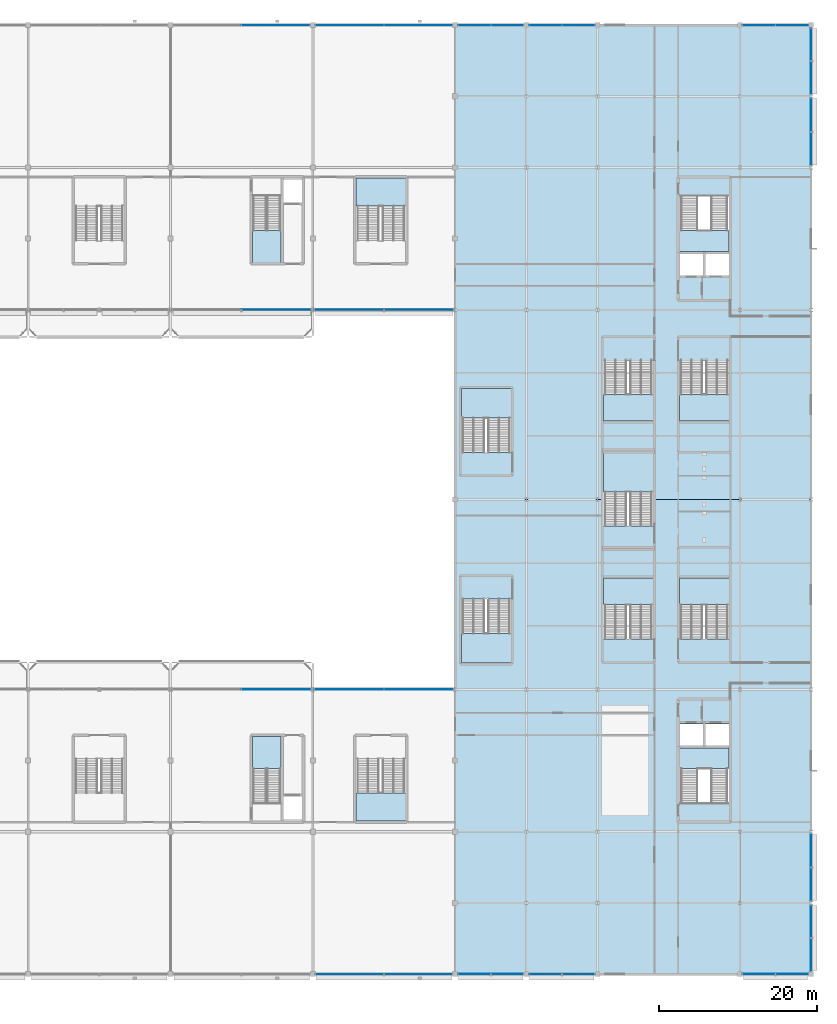
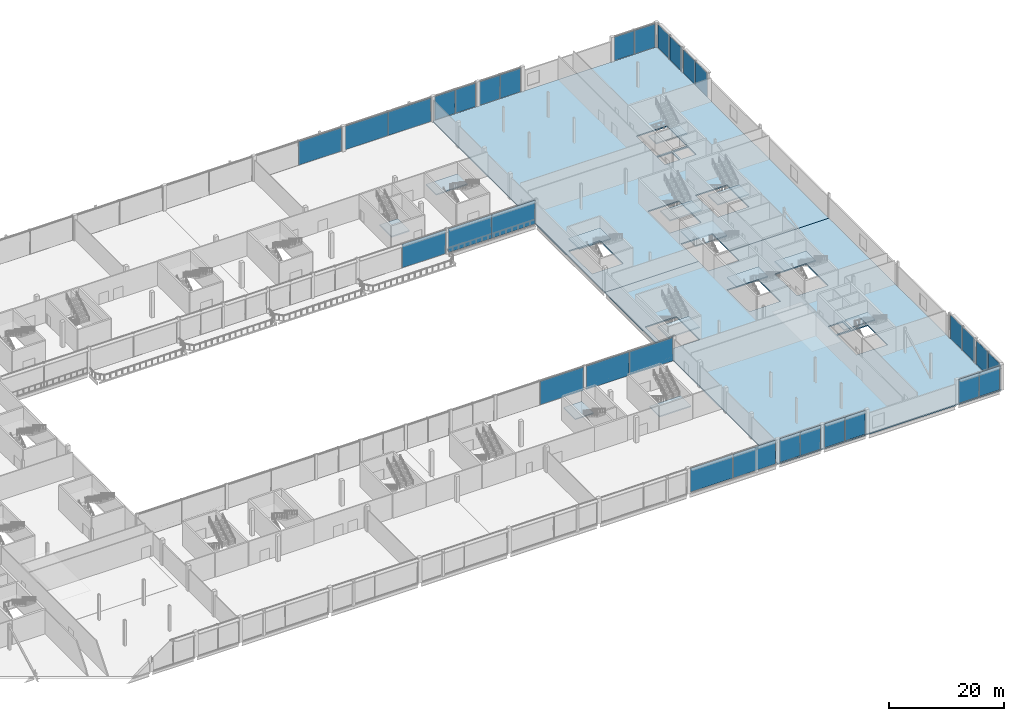
# One storey, part 62 of 113: 31 plates, 15 slabs, 30 elements without a shape of their own.
"""IFC4 building model written with IfcOpenShell, lengths in metres."""

from ifc_helpers import new_model, si_unit, direction, frame, origin, origin_2d, place, context, subcontext, project, spatial, polyline, rectangle, outline, extrude, material, layer, layer_set, type_object, element, aggregate, save


model = new_model("IFC4")

# Units and contexts
model_context = context("Model", 3, precision=1e-05, world=origin(), true_north=direction((0.0, 1.0)))
body_context = subcontext(model_context, "Body", "Model", "MODEL_VIEW")
ifc_project = project(units=[si_unit("LENGTHUNIT", "METRE"), si_unit("AREAUNIT", "SQUARE_METRE"), si_unit("VOLUMEUNIT", "CUBIC_METRE"), si_unit("PLANEANGLEUNIT", "RADIAN"), si_unit("MASSUNIT", "GRAM", prefix="KILO")], contexts=[model_context])

# Site, building, storey
site_placement = place(None, origin())
site = spatial("IfcSite", under=ifc_project, at=site_placement, CompositionType="ELEMENT")
building_placement = place(site_placement, origin())
building = spatial("IfcBuilding", under=site, at=building_placement, Name="Kisiwana Market Hall", CompositionType="ELEMENT")
storey_placement = place(building_placement, frame((0.0, 0.0, 6.0)))
storey = spatial("IfcBuildingStorey", under=building, at=storey_placement, Name="L01", CompositionType="ELEMENT", Elevation=6.0)

# Curtain wall, plates
ifc_material_1 = material(Name="Double-glazed solar-control low-E IGU", Category="glass")
ifc_layer_1 = layer(ifc_material_1, 0.159912109375)
ifc_layer_set_1 = layer_set([ifc_layer_1], Name="CW-FC-S-7600")
curtain_wall_type_1 = type_object("IfcCurtainWallType", Name="CW-FC-S-7600", PredefinedType="USERDEFINED", material=ifc_layer_set_1)
curtain_wall_1_placement = place(storey_placement, origin())
curtain_wall_1 = element("IfcCurtainWall", 1, at=curtain_wall_1_placement, inside=storey, type_object=curtain_wall_type_1, Name="Unitised curtain wall CW-013 (L01)", ObjectType="UNITISED CURTAIN WALL", PredefinedType="USERDEFINED")
ifc_material_2 = material(Name="Double-glazed solar-control low-E IGU", Category="glass")
ifc_layer_2 = layer(ifc_material_2, 0.02392578125)
ifc_layer_set_2 = layer_set([ifc_layer_2], Name="PL-IGU-24")
plate_type_1 = type_object("IfcPlateType", Name="PL-IGU-24", PredefinedType="CURTAIN_PANEL", material=ifc_layer_set_2)
plate_1_placement = place(storey_placement, frame((139.677490234375, 0.0, 0.06005859375), z_axis=(0.0, 0.0, 1.0), x_axis=(1.0, 0.0, 0.0)))
plate_1 = element("IfcPlate", 2, at=plate_1_placement, type_object=plate_type_1, Name="CW-013 panel 1.1", PredefinedType="CURTAIN_PANEL", context=body_context, shape_type="SweptSolid", body=[
    extrude(rectangle(XDim=8.5849609375, YDim=0.02392578125, at=origin_2d()), origin(), (0.0, 0.0, 1.0), 5.030029296875),
])
plate_2_placement = place(storey_placement, frame((148.322509765625, 0.0, 0.06005859375), z_axis=(0.0, 0.0, 1.0), x_axis=(1.0, 0.0, 0.0)))
plate_2 = element("IfcPlate", 3, at=plate_2_placement, type_object=plate_type_1, Name="CW-013 panel 2.1", PredefinedType="CURTAIN_PANEL", context=body_context, shape_type="SweptSolid", body=[
    extrude(rectangle(XDim=8.5849609375, YDim=0.02392578125, at=origin_2d()), origin(), (0.0, 0.0, 1.0), 5.030029296875),
])
aggregate(curtain_wall_1, [plate_1, plate_2])

curtain_wall_2_placement = place(storey_placement, origin())
curtain_wall_2 = element("IfcCurtainWall", 4, at=curtain_wall_2_placement, inside=storey, type_object=curtain_wall_type_1, Name="Unitised curtain wall CW-015 (L01)", ObjectType="UNITISED CURTAIN WALL", PredefinedType="USERDEFINED")
plate_3_placement = place(storey_placement, frame((164.427490234375, 0.0, 0.06005859375), z_axis=(0.0, 0.0, 1.0), x_axis=(1.0, 0.0, 0.0)))
plate_3 = element("IfcPlate", 5, at=plate_3_placement, type_object=plate_type_1, Name="CW-015 panel 1.1", PredefinedType="CURTAIN_PANEL", context=body_context, shape_type="SweptSolid", body=[
    extrude(rectangle(XDim=4.0849609375, YDim=0.02392578125, at=origin_2d()), origin(), (0.0, 0.0, 1.0), 5.030029296875),
])
plate_4_placement = place(storey_placement, frame((168.572509765625, 0.0, 0.06005859375), z_axis=(0.0, 0.0, 1.0), x_axis=(1.0, 0.0, 0.0)))
plate_4 = element("IfcPlate", 6, at=plate_4_placement, type_object=plate_type_1, Name="CW-015 panel 2.1", PredefinedType="CURTAIN_PANEL", context=body_context, shape_type="SweptSolid", body=[
    extrude(rectangle(XDim=4.0849609375, YDim=0.02392578125, at=origin_2d()), origin(), (0.0, 0.0, 1.0), 5.030029296875),
])
aggregate(curtain_wall_2, [plate_3, plate_4])

# Curtain wall, plate
ifc_material_3 = material(Name="Double-glazed solar-control low-E IGU", Category="glass")
ifc_layer_3 = layer(ifc_material_3, 0.159912109375)
ifc_layer_set_3 = layer_set([ifc_layer_3], Name="CW-FC-N-8100")
curtain_wall_type_2 = type_object("IfcCurtainWallType", Name="CW-FC-N-8100", PredefinedType="USERDEFINED", material=ifc_layer_set_3)
curtain_wall_3_placement = place(storey_placement, origin())
curtain_wall_3 = element("IfcCurtainWall", 7, at=curtain_wall_3_placement, inside=storey, type_object=curtain_wall_type_2, Name="Unitised curtain wall CW-023 (L01)", ObjectType="UNITISED CURTAIN WALL", PredefinedType="USERDEFINED")
plate_5_placement = place(storey_placement, frame((130.382080078125, 36.0, 0.06005859375), z_axis=(0.0, 0.0, 1.0), x_axis=(1.0, 0.0, 0.0)))
plate_5 = element("IfcPlate", 8, at=plate_5_placement, type_object=plate_type_1, Name="CW-023 panel 2.1", PredefinedType="CURTAIN_PANEL", context=body_context, shape_type="SweptSolid", body=[
    extrude(rectangle(XDim=8.7041015625, YDim=0.02392578125, at=origin_2d()), origin(), (0.0, 0.0, 1.0), 5.030029296875),
])
aggregate(curtain_wall_3, [plate_5])

curtain_wall_4_placement = place(storey_placement, origin())
curtain_wall_4 = element("IfcCurtainWall", 9, at=curtain_wall_4_placement, inside=storey, type_object=curtain_wall_type_1, Name="Unitised curtain wall CW-031 (L01)", ObjectType="UNITISED CURTAIN WALL", PredefinedType="USERDEFINED")
plate_6_placement = place(storey_placement, frame((130.382080078125, 84.0, 0.06005859375), z_axis=(0.0, 0.0, 1.0), x_axis=(1.0, 0.0, 0.0)))
plate_6 = element("IfcPlate", 10, at=plate_6_placement, type_object=plate_type_1, Name="CW-031 panel 2.1", PredefinedType="CURTAIN_PANEL", context=body_context, shape_type="SweptSolid", body=[
    extrude(rectangle(XDim=8.7041015625, YDim=0.02392578125, at=origin_2d()), origin(), (0.0, 0.0, 1.0), 5.030029296875),
])
aggregate(curtain_wall_4, [plate_6])

# Curtain wall, plates
curtain_wall_5_placement = place(storey_placement, origin())
curtain_wall_5 = element("IfcCurtainWall", 11, at=curtain_wall_5_placement, inside=storey, type_object=curtain_wall_type_2, Name="Unitised curtain wall CW-041 (L01)", ObjectType="UNITISED CURTAIN WALL", PredefinedType="USERDEFINED")
plate_7_placement = place(storey_placement, frame((139.677490234375, 120.0, 0.06005859375), z_axis=(0.0, 0.0, 1.0), x_axis=(1.0, 0.0, 0.0)))
plate_7 = element("IfcPlate", 12, at=plate_7_placement, type_object=plate_type_1, Name="CW-041 panel 1.1", PredefinedType="CURTAIN_PANEL", context=body_context, shape_type="SweptSolid", body=[
    extrude(rectangle(XDim=8.5849609375, YDim=0.02392578125, at=origin_2d()), origin(), (0.0, 0.0, 1.0), 5.030029296875),
])
plate_8_placement = place(storey_placement, frame((148.322509765625, 120.0, 0.06005859375), z_axis=(0.0, 0.0, 1.0), x_axis=(1.0, 0.0, 0.0)))
plate_8 = element("IfcPlate", 13, at=plate_8_placement, type_object=plate_type_1, Name="CW-041 panel 2.1", PredefinedType="CURTAIN_PANEL", context=body_context, shape_type="SweptSolid", body=[
    extrude(rectangle(XDim=8.5849609375, YDim=0.02392578125, at=origin_2d()), origin(), (0.0, 0.0, 1.0), 5.030029296875),
])
aggregate(curtain_wall_5, [plate_7, plate_8])

curtain_wall_6_placement = place(storey_placement, origin())
curtain_wall_6 = element("IfcCurtainWall", 14, at=curtain_wall_6_placement, inside=storey, type_object=curtain_wall_type_2, Name="Unitised curtain wall CW-043 (L01)", ObjectType="UNITISED CURTAIN WALL", PredefinedType="USERDEFINED")
plate_9_placement = place(storey_placement, frame((164.427490234375, 120.0, 0.06005859375), z_axis=(0.0, 0.0, 1.0), x_axis=(1.0, 0.0, 0.0)))
plate_9 = element("IfcPlate", 15, at=plate_9_placement, type_object=plate_type_1, Name="CW-043 panel 1.1", PredefinedType="CURTAIN_PANEL", context=body_context, shape_type="SweptSolid", body=[
    extrude(rectangle(XDim=4.0849609375, YDim=0.02392578125, at=origin_2d()), origin(), (0.0, 0.0, 1.0), 5.030029296875),
])
plate_10_placement = place(storey_placement, frame((168.572509765625, 120.0, 0.06005859375), z_axis=(0.0, 0.0, 1.0), x_axis=(1.0, 0.0, 0.0)))
plate_10 = element("IfcPlate", 16, at=plate_10_placement, type_object=plate_type_1, Name="CW-043 panel 2.1", PredefinedType="CURTAIN_PANEL", context=body_context, shape_type="SweptSolid", body=[
    extrude(rectangle(XDim=4.0849609375, YDim=0.02392578125, at=origin_2d()), origin(), (0.0, 0.0, 1.0), 5.030029296875),
])
aggregate(curtain_wall_6, [plate_9, plate_10])

curtain_wall_7_placement = place(storey_placement, origin())
curtain_wall_7 = element("IfcCurtainWall", 17, at=curtain_wall_7_placement, inside=storey, type_object=curtain_wall_type_2, Name="Unitised curtain wall CW-049 (L01)", ObjectType="UNITISED CURTAIN WALL", PredefinedType="USERDEFINED")
plate_11_placement = place(storey_placement, frame((198.0, 2.4580078125, 0.06005859375), z_axis=(0.0, 0.0, 1.0), x_axis=(0.0, 1.0, 0.0)))
plate_11 = element("IfcPlate", 18, at=plate_11_placement, type_object=plate_type_1, Name="CW-049 panel 1.1", PredefinedType="CURTAIN_PANEL", context=body_context, shape_type="SweptSolid", body=[
    extrude(rectangle(XDim=4.14599609375, YDim=0.02392578125, at=origin_2d()), origin(), (0.0, 0.0, 1.0), 5.030029296875),
])
plate_12_placement = place(storey_placement, frame((198.0, 6.663818359375, 0.06005859375), z_axis=(0.0, 0.0, 1.0), x_axis=(0.0, 1.0, 0.0)))
plate_12 = element("IfcPlate", 19, at=plate_12_placement, type_object=plate_type_1, Name="CW-049 panel 2.1", PredefinedType="CURTAIN_PANEL", context=body_context, shape_type="SweptSolid", body=[
    extrude(rectangle(XDim=4.14599609375, YDim=0.02392578125, at=origin_2d()), origin(), (0.0, 0.0, 1.0), 5.030029296875),
])
aggregate(curtain_wall_7, [plate_11, plate_12])

curtain_wall_8_placement = place(storey_placement, origin())
curtain_wall_8 = element("IfcCurtainWall", 20, at=curtain_wall_8_placement, inside=storey, type_object=curtain_wall_type_2, Name="Unitised curtain wall CW-051 (L01)", ObjectType="UNITISED CURTAIN WALL", PredefinedType="USERDEFINED")
plate_13_placement = place(storey_placement, frame((198.0, 104.37744140625, 0.06005859375), z_axis=(0.0, 0.0, 1.0), x_axis=(0.0, 1.0, 0.0)))
plate_13 = element("IfcPlate", 21, at=plate_13_placement, type_object=plate_type_1, Name="CW-051 panel 1.1", PredefinedType="CURTAIN_PANEL", context=body_context, shape_type="SweptSolid", body=[
    extrude(rectangle(XDim=4.19970703125, YDim=0.02392578125, at=origin_2d()), origin(), (0.0, 0.0, 1.0), 5.030029296875),
])
plate_14_placement = place(storey_placement, frame((198.0, 108.636962890625, 0.06005859375), z_axis=(0.0, 0.0, 1.0), x_axis=(0.0, 1.0, 0.0)))
plate_14 = element("IfcPlate", 22, at=plate_14_placement, type_object=plate_type_1, Name="CW-051 panel 2.1", PredefinedType="CURTAIN_PANEL", context=body_context, shape_type="SweptSolid", body=[
    extrude(rectangle(XDim=4.19970703125, YDim=0.02392578125, at=origin_2d()), origin(), (0.0, 0.0, 1.0), 5.030029296875),
])
aggregate(curtain_wall_8, [plate_13, plate_14])

curtain_wall_9_placement = place(storey_placement, origin())
curtain_wall_9 = element("IfcCurtainWall", 23, at=curtain_wall_9_placement, inside=storey, type_object=curtain_wall_type_1, Name="Unitised curtain wall CW-014 (L01)", ObjectType="UNITISED CURTAIN WALL", PredefinedType="USERDEFINED")
ifc_material_4 = material(Name="Double-glazed acoustic laminated IGU", Category="glass")
ifc_layer_4 = layer(ifc_material_4, 0.028076171875)
ifc_layer_set_4 = layer_set([ifc_layer_4], Name="PL-IGU-28")
plate_type_2 = type_object("IfcPlateType", Name="PL-IGU-28", PredefinedType="CURTAIN_PANEL", material=ifc_layer_set_4)
plate_15_placement = place(storey_placement, frame((155.427490234375, 0.0, 0.06005859375), z_axis=(0.0, 0.0, 1.0), x_axis=(1.0, 0.0, 0.0)))
plate_15 = element("IfcPlate", 24, at=plate_15_placement, type_object=plate_type_2, Name="CW-014 panel 1.1", PredefinedType="CURTAIN_PANEL", context=body_context, shape_type="SweptSolid", body=[
    extrude(rectangle(XDim=4.0849609375, YDim=0.028076171875, at=origin_2d()), origin(), (0.0, 0.0, 1.0), 5.030029296875),
])
plate_16_placement = place(storey_placement, frame((159.572509765625, 0.0, 0.06005859375), z_axis=(0.0, 0.0, 1.0), x_axis=(1.0, 0.0, 0.0)))
plate_16 = element("IfcPlate", 25, at=plate_16_placement, type_object=plate_type_2, Name="CW-014 panel 2.1", PredefinedType="CURTAIN_PANEL", context=body_context, shape_type="SweptSolid", body=[
    extrude(rectangle(XDim=4.0849609375, YDim=0.028076171875, at=origin_2d()), origin(), (0.0, 0.0, 1.0), 5.030029296875),
])
aggregate(curtain_wall_9, [plate_15, plate_16])

curtain_wall_10_placement = place(storey_placement, origin())
curtain_wall_10 = element("IfcCurtainWall", 26, at=curtain_wall_10_placement, inside=storey, type_object=curtain_wall_type_1, Name="Unitised curtain wall CW-016 (L01)", ObjectType="UNITISED CURTAIN WALL", PredefinedType="USERDEFINED")
plate_17_placement = place(storey_placement, frame((191.427490234375, 0.0, 0.06005859375), z_axis=(0.0, 0.0, 1.0), x_axis=(1.0, 0.0, 0.0)))
plate_17 = element("IfcPlate", 27, at=plate_17_placement, type_object=plate_type_2, Name="CW-016 panel 1.1", PredefinedType="CURTAIN_PANEL", context=body_context, shape_type="SweptSolid", body=[
    extrude(rectangle(XDim=4.0849609375, YDim=0.028076171875, at=origin_2d()), origin(), (0.0, 0.0, 1.0), 5.030029296875),
])
plate_18_placement = place(storey_placement, frame((195.572509765625, 0.0, 0.06005859375), z_axis=(0.0, 0.0, 1.0), x_axis=(1.0, 0.0, 0.0)))
plate_18 = element("IfcPlate", 28, at=plate_18_placement, type_object=plate_type_2, Name="CW-016 panel 2.1", PredefinedType="CURTAIN_PANEL", context=body_context, shape_type="SweptSolid", body=[
    extrude(rectangle(XDim=4.0849609375, YDim=0.028076171875, at=origin_2d()), origin(), (0.0, 0.0, 1.0), 5.030029296875),
])
aggregate(curtain_wall_10, [plate_17, plate_18])

curtain_wall_11_placement = place(storey_placement, origin())
curtain_wall_11 = element("IfcCurtainWall", 29, at=curtain_wall_11_placement, inside=storey, type_object=curtain_wall_type_2, Name="Unitised curtain wall CW-024 (L01)", ObjectType="UNITISED CURTAIN WALL", PredefinedType="USERDEFINED")
plate_19_placement = place(storey_placement, frame((139.617919921875, 36.0, 0.06005859375), z_axis=(0.0, 0.0, 1.0), x_axis=(1.0, 0.0, 0.0)))
plate_19 = element("IfcPlate", 30, at=plate_19_placement, type_object=plate_type_2, Name="CW-024 panel 1.1", PredefinedType="CURTAIN_PANEL", context=body_context, shape_type="SweptSolid", body=[
    extrude(rectangle(XDim=8.7041015625, YDim=0.028076171875, at=origin_2d()), origin(), (0.0, 0.0, 1.0), 5.030029296875),
])
plate_20_placement = place(storey_placement, frame((148.382080078125, 36.0, 0.06005859375), z_axis=(0.0, 0.0, 1.0), x_axis=(1.0, 0.0, 0.0)))
plate_20 = element("IfcPlate", 31, at=plate_20_placement, type_object=plate_type_2, Name="CW-024 panel 2.1", PredefinedType="CURTAIN_PANEL", context=body_context, shape_type="SweptSolid", body=[
    extrude(rectangle(XDim=8.7041015625, YDim=0.028076171875, at=origin_2d()), origin(), (0.0, 0.0, 1.0), 5.030029296875),
])
aggregate(curtain_wall_11, [plate_19, plate_20])

curtain_wall_12_placement = place(storey_placement, origin())
curtain_wall_12 = element("IfcCurtainWall", 32, at=curtain_wall_12_placement, inside=storey, type_object=curtain_wall_type_1, Name="Unitised curtain wall CW-032 (L01)", ObjectType="UNITISED CURTAIN WALL", PredefinedType="USERDEFINED")
plate_21_placement = place(storey_placement, frame((139.617919921875, 84.0, 0.06005859375), z_axis=(0.0, 0.0, 1.0), x_axis=(1.0, 0.0, 0.0)))
plate_21 = element("IfcPlate", 33, at=plate_21_placement, type_object=plate_type_2, Name="CW-032 panel 1.1", PredefinedType="CURTAIN_PANEL", context=body_context, shape_type="SweptSolid", body=[
    extrude(rectangle(XDim=8.7041015625, YDim=0.028076171875, at=origin_2d()), origin(), (0.0, 0.0, 1.0), 5.030029296875),
])
plate_22_placement = place(storey_placement, frame((148.382080078125, 84.0, 0.06005859375), z_axis=(0.0, 0.0, 1.0), x_axis=(1.0, 0.0, 0.0)))
plate_22 = element("IfcPlate", 34, at=plate_22_placement, type_object=plate_type_2, Name="CW-032 panel 2.1", PredefinedType="CURTAIN_PANEL", context=body_context, shape_type="SweptSolid", body=[
    extrude(rectangle(XDim=8.7041015625, YDim=0.028076171875, at=origin_2d()), origin(), (0.0, 0.0, 1.0), 5.030029296875),
])
aggregate(curtain_wall_12, [plate_21, plate_22])

# Curtain wall, plate
curtain_wall_13_placement = place(storey_placement, origin())
curtain_wall_13 = element("IfcCurtainWall", 35, at=curtain_wall_13_placement, inside=storey, type_object=curtain_wall_type_2, Name="Unitised curtain wall CW-040 (L01)", ObjectType="UNITISED CURTAIN WALL", PredefinedType="USERDEFINED")
plate_23_placement = place(storey_placement, frame((130.322509765625, 120.0, 0.06005859375), z_axis=(0.0, 0.0, 1.0), x_axis=(1.0, 0.0, 0.0)))
plate_23 = element("IfcPlate", 36, at=plate_23_placement, type_object=plate_type_2, Name="CW-040 panel 2.1", PredefinedType="CURTAIN_PANEL", context=body_context, shape_type="SweptSolid", body=[
    extrude(rectangle(XDim=8.5849609375, YDim=0.028076171875, at=origin_2d()), origin(), (0.0, 0.0, 1.0), 5.030029296875),
])
aggregate(curtain_wall_13, [plate_23])

# Curtain wall, plates
curtain_wall_14_placement = place(storey_placement, origin())
curtain_wall_14 = element("IfcCurtainWall", 37, at=curtain_wall_14_placement, inside=storey, type_object=curtain_wall_type_2, Name="Unitised curtain wall CW-042 (L01)", ObjectType="UNITISED CURTAIN WALL", PredefinedType="USERDEFINED")
plate_24_placement = place(storey_placement, frame((155.427490234375, 120.0, 0.06005859375), z_axis=(0.0, 0.0, 1.0), x_axis=(1.0, 0.0, 0.0)))
plate_24 = element("IfcPlate", 38, at=plate_24_placement, type_object=plate_type_2, Name="CW-042 panel 1.1", PredefinedType="CURTAIN_PANEL", context=body_context, shape_type="SweptSolid", body=[
    extrude(rectangle(XDim=4.0849609375, YDim=0.028076171875, at=origin_2d()), origin(), (0.0, 0.0, 1.0), 5.030029296875),
])
plate_25_placement = place(storey_placement, frame((159.572509765625, 120.0, 0.06005859375), z_axis=(0.0, 0.0, 1.0), x_axis=(1.0, 0.0, 0.0)))
plate_25 = element("IfcPlate", 39, at=plate_25_placement, type_object=plate_type_2, Name="CW-042 panel 2.1", PredefinedType="CURTAIN_PANEL", context=body_context, shape_type="SweptSolid", body=[
    extrude(rectangle(XDim=4.0849609375, YDim=0.028076171875, at=origin_2d()), origin(), (0.0, 0.0, 1.0), 5.030029296875),
])
aggregate(curtain_wall_14, [plate_24, plate_25])

curtain_wall_15_placement = place(storey_placement, origin())
curtain_wall_15 = element("IfcCurtainWall", 40, at=curtain_wall_15_placement, inside=storey, type_object=curtain_wall_type_2, Name="Unitised curtain wall CW-044 (L01)", ObjectType="UNITISED CURTAIN WALL", PredefinedType="USERDEFINED")
plate_26_placement = place(storey_placement, frame((191.427490234375, 120.0, 0.06005859375), z_axis=(0.0, 0.0, 1.0), x_axis=(1.0, 0.0, 0.0)))
plate_26 = element("IfcPlate", 41, at=plate_26_placement, type_object=plate_type_2, Name="CW-044 panel 1.1", PredefinedType="CURTAIN_PANEL", context=body_context, shape_type="SweptSolid", body=[
    extrude(rectangle(XDim=4.0849609375, YDim=0.028076171875, at=origin_2d()), origin(), (0.0, 0.0, 1.0), 5.030029296875),
])
plate_27_placement = place(storey_placement, frame((195.572509765625, 120.0, 0.06005859375), z_axis=(0.0, 0.0, 1.0), x_axis=(1.0, 0.0, 0.0)))
plate_27 = element("IfcPlate", 42, at=plate_27_placement, type_object=plate_type_2, Name="CW-044 panel 2.1", PredefinedType="CURTAIN_PANEL", context=body_context, shape_type="SweptSolid", body=[
    extrude(rectangle(XDim=4.0849609375, YDim=0.028076171875, at=origin_2d()), origin(), (0.0, 0.0, 1.0), 5.030029296875),
])
aggregate(curtain_wall_15, [plate_26, plate_27])

curtain_wall_16_placement = place(storey_placement, origin())
curtain_wall_16 = element("IfcCurtainWall", 43, at=curtain_wall_16_placement, inside=storey, type_object=curtain_wall_type_2, Name="Unitised curtain wall CW-050 (L01)", ObjectType="UNITISED CURTAIN WALL", PredefinedType="USERDEFINED")
plate_28_placement = place(storey_placement, frame((198.0, 11.363037109375, 0.06005859375), z_axis=(0.0, 0.0, 1.0), x_axis=(0.0, 1.0, 0.0)))
plate_28 = element("IfcPlate", 44, at=plate_28_placement, type_object=plate_type_2, Name="CW-050 panel 1.1", PredefinedType="CURTAIN_PANEL", context=body_context, shape_type="SweptSolid", body=[
    extrude(rectangle(XDim=4.19970703125, YDim=0.028076171875, at=origin_2d()), origin(), (0.0, 0.0, 1.0), 5.030029296875),
])
plate_29_placement = place(storey_placement, frame((198.0, 15.62255859375, 0.06005859375), z_axis=(0.0, 0.0, 1.0), x_axis=(0.0, 1.0, 0.0)))
plate_29 = element("IfcPlate", 45, at=plate_29_placement, type_object=plate_type_2, Name="CW-050 panel 2.1", PredefinedType="CURTAIN_PANEL", context=body_context, shape_type="SweptSolid", body=[
    extrude(rectangle(XDim=4.19970703125, YDim=0.028076171875, at=origin_2d()), origin(), (0.0, 0.0, 1.0), 5.030029296875),
])
aggregate(curtain_wall_16, [plate_28, plate_29])

curtain_wall_17_placement = place(storey_placement, origin())
curtain_wall_17 = element("IfcCurtainWall", 46, at=curtain_wall_17_placement, inside=storey, type_object=curtain_wall_type_2, Name="Unitised curtain wall CW-052 (L01)", ObjectType="UNITISED CURTAIN WALL", PredefinedType="USERDEFINED")
plate_30_placement = place(storey_placement, frame((198.0, 113.336181640625, 0.06005859375), z_axis=(0.0, 0.0, 1.0), x_axis=(0.0, 1.0, 0.0)))
plate_30 = element("IfcPlate", 47, at=plate_30_placement, type_object=plate_type_2, Name="CW-052 panel 1.1", PredefinedType="CURTAIN_PANEL", context=body_context, shape_type="SweptSolid", body=[
    extrude(rectangle(XDim=4.14599609375, YDim=0.028076171875, at=origin_2d()), origin(), (0.0, 0.0, 1.0), 5.030029296875),
])
plate_31_placement = place(storey_placement, frame((198.0, 117.5419921875, 0.06005859375), z_axis=(0.0, 0.0, 1.0), x_axis=(0.0, 1.0, 0.0)))
plate_31 = element("IfcPlate", 48, at=plate_31_placement, type_object=plate_type_2, Name="CW-052 panel 2.1", PredefinedType="CURTAIN_PANEL", context=body_context, shape_type="SweptSolid", body=[
    extrude(rectangle(XDim=4.14599609375, YDim=0.028076171875, at=origin_2d()), origin(), (0.0, 0.0, 1.0), 5.030029296875),
])
aggregate(curtain_wall_17, [plate_30, plate_31])

# Stair, slab
ifc_material_5 = material(Name="Concrete C32/40", Category="concrete")
stair_type_1 = type_object("IfcStairType", Name="ST-POD-5400", PredefinedType="TWO_STRAIGHT_RUN_STAIR", material=ifc_material_5)
stair_1_placement = place(storey_placement, origin())
stair_1 = element("IfcStair", 49, at=stair_1_placement, inside=storey, type_object=stair_type_1, Name="Escape stair ST-E2-L01", PredefinedType="TWO_STRAIGHT_RUN_STAIR")
ifc_material_6 = material(Name="Concrete C32/40", Category="concrete")
ifc_layer_5 = layer(ifc_material_6, 0.239990234375)
ifc_layer_set_5 = layer_set([ifc_layer_5], Name="SL-LANDING-160")
slab_type_1 = type_object("IfcSlabType", Name="SL-LANDING-160", PredefinedType="LANDING", material=ifc_layer_set_5)
slab_1_placement = place(storey_placement, frame((0.0, 0.0, 2.4599609375)))
slab_1 = element("IfcSlab", 50, at=slab_1_placement, type_object=slab_type_1, Name="ST-E2-L01 landing 1 S-109", PredefinedType="LANDING", context=body_context, shape_type="SweptSolid", body=[
    extrude(outline(polyline([(181.3798828125, 25.9990234375), (187.6201171875, 25.9990234375), (187.6201171875, 28.6201171875), (181.3798828125, 28.6201171875), (181.3798828125, 25.9990234375)])), origin(), (0.0, 0.0, 1.0), 0.239990234375),
])
aggregate(stair_1, [slab_1])

stair_2_placement = place(storey_placement, origin())
stair_2 = element("IfcStair", 51, at=stair_2_placement, inside=storey, type_object=stair_type_1, Name="Escape stair ST-E1-L01", PredefinedType="TWO_STRAIGHT_RUN_STAIR")
slab_2_placement = place(storey_placement, frame((0.0, 0.0, 2.4599609375)))
slab_2 = element("IfcSlab", 52, at=slab_2_placement, type_object=slab_type_1, Name="ST-E1-L01 landing 1 S-107", PredefinedType="LANDING", context=body_context, shape_type="SweptSolid", body=[
    extrude(outline(polyline([(181.3798828125, 91.3798828125), (187.6201171875, 91.3798828125), (187.6201171875, 94.0009765625), (181.3798828125, 94.0009765625), (181.3798828125, 91.3798828125)])), origin(), (0.0, 0.0, 1.0), 0.239990234375),
])
aggregate(stair_2, [slab_2])

stair_3_placement = place(storey_placement, origin())
stair_3 = element("IfcStair", 53, at=stair_3_placement, inside=storey, type_object=stair_type_1, Name="Escape stair ST-S2-L01", PredefinedType="TWO_STRAIGHT_RUN_STAIR")
slab_3_placement = place(storey_placement, frame((0.0, 0.0, 2.4599609375)))
slab_3 = element("IfcSlab", 54, at=slab_3_placement, type_object=slab_type_1, Name="ST-S2-L01 landing 1 S-123", PredefinedType="LANDING", context=body_context, shape_type="SweptSolid", body=[
    extrude(outline(polyline([(127.360107421875, 25.97900390625), (131.0, 25.97900390625), (131.0, 30.0400390625), (127.360107421875, 30.0400390625), (127.360107421875, 25.97900390625)])), origin(), (0.0, 0.0, 1.0), 0.239990234375),
])
aggregate(stair_3, [slab_3])

stair_4_placement = place(storey_placement, origin())
stair_4 = element("IfcStair", 55, at=stair_4_placement, inside=storey, type_object=stair_type_1, Name="Escape stair ST-N2-L01", PredefinedType="TWO_STRAIGHT_RUN_STAIR")
slab_4_placement = place(storey_placement, frame((0.0, 0.0, 2.4599609375)))
slab_4 = element("IfcSlab", 56, at=slab_4_placement, type_object=slab_type_1, Name="ST-N2-L01 landing 1 S-117", PredefinedType="LANDING", context=body_context, shape_type="SweptSolid", body=[
    extrude(outline(polyline([(127.340087890625, 89.93994140625), (130.97998046875, 89.93994140625), (130.97998046875, 94.041015625), (127.340087890625, 94.041015625), (127.340087890625, 89.93994140625)])), origin(), (0.0, 0.0, 1.0), 0.239990234375),
])
aggregate(stair_4, [slab_4])

ifc_material_7 = material(Name="Concrete C32/40", Category="concrete")
stair_type_2 = type_object("IfcStairType", Name="ST-ESC-5400", PredefinedType="TWO_STRAIGHT_RUN_STAIR", material=ifc_material_7)
stair_5_placement = place(storey_placement, origin())
stair_5 = element("IfcStair", 57, at=stair_5_placement, inside=storey, type_object=stair_type_2, Name="Escape stair ST-E3-L01", PredefinedType="TWO_STRAIGHT_RUN_STAIR")
slab_5_placement = place(storey_placement, frame((0.0, 0.0, 2.4599609375)))
slab_5 = element("IfcSlab", 58, at=slab_5_placement, type_object=slab_type_1, Name="ST-E3-L01 landing 1 S-110", PredefinedType="LANDING", context=body_context, shape_type="SweptSolid", body=[
    extrude(outline(polyline([(181.340087890625, 46.70947265625), (187.659912109375, 46.70947265625), (187.659912109375, 50.06005859375), (181.340087890625, 50.06005859375), (181.340087890625, 46.70947265625)])), origin(), (0.0, 0.0, 1.0), 0.239990234375),
])
aggregate(stair_5, [slab_5])

stair_6_placement = place(storey_placement, origin())
stair_6 = element("IfcStair", 59, at=stair_6_placement, inside=storey, type_object=stair_type_2, Name="Escape stair ST-E4-L01", PredefinedType="TWO_STRAIGHT_RUN_STAIR")
slab_6_placement = place(storey_placement, frame((0.0, 0.0, 2.4599609375)))
slab_6 = element("IfcSlab", 60, at=slab_6_placement, type_object=slab_type_1, Name="ST-E4-L01 landing 1 S-111", PredefinedType="LANDING", context=body_context, shape_type="SweptSolid", body=[
    extrude(outline(polyline([(181.340087890625, 69.93994140625), (187.659912109375, 69.93994140625), (187.659912109375, 73.29052734375), (181.340087890625, 73.29052734375), (181.340087890625, 69.93994140625)])), origin(), (0.0, 0.0, 1.0), 0.239990234375),
])
aggregate(stair_6, [slab_6])

stair_7_placement = place(storey_placement, origin())
stair_7 = element("IfcStair", 61, at=stair_7_placement, inside=storey, type_object=stair_type_2, Name="Escape stair ST-E7-L01", PredefinedType="TWO_STRAIGHT_RUN_STAIR")
slab_7_placement = place(storey_placement, frame((0.0, 0.0, 2.4599609375)))
slab_7 = element("IfcSlab", 62, at=slab_7_placement, type_object=slab_type_1, Name="ST-E7-L01 landing 1 S-113", PredefinedType="LANDING", context=body_context, shape_type="SweptSolid", body=[
    extrude(outline(polyline([(171.739990234375, 46.70947265625), (178.06005859375, 46.70947265625), (178.06005859375, 50.06005859375), (171.739990234375, 50.06005859375), (171.739990234375, 46.70947265625)])), origin(), (0.0, 0.0, 1.0), 0.239990234375),
])
aggregate(stair_7, [slab_7])

stair_8_placement = place(storey_placement, origin())
stair_8 = element("IfcStair", 63, at=stair_8_placement, inside=storey, type_object=stair_type_2, Name="Escape stair ST-E8-L01", PredefinedType="TWO_STRAIGHT_RUN_STAIR")
slab_8_placement = place(storey_placement, frame((0.0, 0.0, 2.4599609375)))
slab_8 = element("IfcSlab", 64, at=slab_8_placement, type_object=slab_type_1, Name="ST-E8-L01 landing 1 S-114", PredefinedType="LANDING", context=body_context, shape_type="SweptSolid", body=[
    extrude(outline(polyline([(171.739990234375, 69.93994140625), (178.06005859375, 69.93994140625), (178.06005859375, 73.29052734375), (171.739990234375, 73.29052734375), (171.739990234375, 69.93994140625)])), origin(), (0.0, 0.0, 1.0), 0.239990234375),
])
aggregate(stair_8, [slab_8])

stair_9_placement = place(storey_placement, origin())
stair_9 = element("IfcStair", 65, at=stair_9_placement, inside=storey, type_object=stair_type_2, Name="Escape stair ST-E9-L01", PredefinedType="TWO_STRAIGHT_RUN_STAIR")
slab_9_placement = place(storey_placement, frame((0.0, 0.0, 2.4599609375)))
slab_9 = element("IfcSlab", 66, at=slab_9_placement, type_object=slab_type_1, Name="ST-E9-L01 landing 1 S-115", PredefinedType="LANDING", context=body_context, shape_type="SweptSolid", body=[
    extrude(outline(polyline([(153.77001953125, 39.340087890625), (160.090087890625, 39.340087890625), (160.090087890625, 43.090576171875), (153.77001953125, 43.090576171875), (153.77001953125, 39.340087890625)])), origin(), (0.0, 0.0, 1.0), 0.239990234375),
])
aggregate(stair_9, [slab_9])

stair_10_placement = place(storey_placement, origin())
stair_10 = element("IfcStair", 67, at=stair_10_placement, inside=storey, type_object=stair_type_2, Name="Escape stair ST-E10-L01", PredefinedType="TWO_STRAIGHT_RUN_STAIR")
slab_10_placement = place(storey_placement, frame((0.0, 0.0, 2.4599609375)))
slab_10 = element("IfcSlab", 68, at=slab_10_placement, type_object=slab_type_1, Name="ST-E10-L01 landing 1 S-108", PredefinedType="LANDING", context=body_context, shape_type="SweptSolid", body=[
    extrude(outline(polyline([(153.77001953125, 70.3095703125), (160.090087890625, 70.3095703125), (160.090087890625, 74.06005859375), (153.77001953125, 74.06005859375), (153.77001953125, 70.3095703125)])), origin(), (0.0, 0.0, 1.0), 0.239990234375),
])
aggregate(stair_10, [slab_10])

stair_11_placement = place(storey_placement, origin())
stair_11 = element("IfcStair", 69, at=stair_11_placement, inside=storey, type_object=stair_type_2, Name="Escape stair ST-E5-L01", PredefinedType="TWO_STRAIGHT_RUN_STAIR")
slab_11_placement = place(storey_placement, frame((0.0, 0.0, 2.4599609375)))
slab_11 = element("IfcSlab", 70, at=slab_11_placement, type_object=slab_type_1, Name="ST-E5-L01 landing 1 S-112", PredefinedType="LANDING", context=body_context, shape_type="SweptSolid", body=[
    extrude(outline(polyline([(171.739990234375, 60.989501953125), (178.06005859375, 60.989501953125), (178.06005859375, 66.179931640625), (171.739990234375, 66.179931640625), (171.739990234375, 60.989501953125)])), origin(), (0.0, 0.0, 1.0), 0.239990234375),
])
aggregate(stair_11, [slab_11])

stair_12_placement = place(storey_placement, origin())
stair_12 = element("IfcStair", 71, at=stair_12_placement, inside=storey, type_object=stair_type_2, Name="Escape stair ST-S6-L01", PredefinedType="TWO_STRAIGHT_RUN_STAIR")
slab_12_placement = place(storey_placement, frame((0.0, 0.0, 2.4599609375)))
slab_12 = element("IfcSlab", 72, at=slab_12_placement, type_object=slab_type_1, Name="ST-S6-L01 landing 1 S-127", PredefinedType="LANDING", context=body_context, shape_type="SweptSolid", body=[
    extrude(outline(polyline([(140.43994140625, 19.340087890625), (146.760009765625, 19.340087890625), (146.760009765625, 22.890380859375), (140.43994140625, 22.890380859375), (140.43994140625, 19.340087890625)])), origin(), (0.0, 0.0, 1.0), 0.239990234375),
])
aggregate(stair_12, [slab_12])

stair_13_placement = place(storey_placement, origin())
stair_13 = element("IfcStair", 73, at=stair_13_placement, inside=storey, type_object=stair_type_2, Name="Escape stair ST-N6-L01", PredefinedType="TWO_STRAIGHT_RUN_STAIR")
slab_13_placement = place(storey_placement, frame((0.0, 0.0, 2.4599609375)))
slab_13 = element("IfcSlab", 74, at=slab_13_placement, type_object=slab_type_1, Name="ST-N6-L01 landing 1 S-121", PredefinedType="LANDING", context=body_context, shape_type="SweptSolid", body=[
    extrude(outline(polyline([(140.43994140625, 97.109619140625), (146.760009765625, 97.109619140625), (146.760009765625, 100.659912109375), (140.43994140625, 100.659912109375), (140.43994140625, 97.109619140625)])), origin(), (0.0, 0.0, 1.0), 0.239990234375),
])
aggregate(stair_13, [slab_13])

# Slabs
ifc_material_8 = material(Name="Concrete C32/40", Category="concrete")
ifc_layer_6 = layer(ifc_material_8, 0.25)
ifc_layer_set_6 = layer_set([ifc_layer_6], Name="SL-POD-220")
slab_type_2 = type_object("IfcSlabType", Name="SL-POD-220", PredefinedType="FLOOR", material=ifc_layer_set_6)
slab_14_placement = place(storey_placement, frame((0.0, 0.0, -0.25)))
element("IfcSlab", 75, at=slab_14_placement, inside=storey, type_object=slab_type_2, Name="Structural slab S-093", PredefinedType="FLOOR", context=body_context, shape_type="SweptSolid", body=[
    extrude(outline(polyline([(153.0, 0.0), (198.0, 0.0), (198.0, 60.0), (178.0400390625, 60.0), (178.0400390625, 56.659912109375), (171.760009765625, 56.659912109375), (171.760009765625, 60.0), (153.0, 60.0), (153.0, 0.0)]), holes=[polyline([(181.39990234375, 21.64990234375), (187.60009765625, 21.64990234375), (187.60009765625, 28.60009765625), (181.39990234375, 28.60009765625), (181.39990234375, 21.64990234375)]), polyline([(181.39990234375, 28.919921875), (184.340087890625, 28.919921875), (184.340087890625, 31.64990234375), (181.39990234375, 31.64990234375), (181.39990234375, 28.919921875)]), polyline([(184.659912109375, 28.919921875), (187.60009765625, 28.919921875), (187.60009765625, 31.64990234375), (184.659912109375, 31.64990234375), (184.659912109375, 28.919921875)]), polyline([(181.360107421875, 42.3798828125), (187.639892578125, 42.3798828125), (187.639892578125, 50.0400390625), (181.360107421875, 50.0400390625), (181.360107421875, 42.3798828125)]), polyline([(171.760009765625, 42.3798828125), (178.0400390625, 42.3798828125), (178.0400390625, 50.0400390625), (171.760009765625, 50.0400390625), (171.760009765625, 42.3798828125)]), polyline([(153.7900390625, 39.360107421875), (160.070068359375, 39.360107421875), (160.070068359375, 47.419921875), (153.7900390625, 47.419921875), (153.7900390625, 39.360107421875)])]), origin(), (0.0, 0.0, 1.0), 0.25),
])
slab_15_placement = place(storey_placement, frame((0.0, 0.0, -0.25)))
element("IfcSlab", 76, at=slab_15_placement, inside=storey, type_object=slab_type_2, Name="Structural slab S-094", PredefinedType="FLOOR", context=body_context, shape_type="SweptSolid", body=[
    extrude(outline(polyline([(153.0, 60.0), (171.760009765625, 60.0), (171.760009765625, 66.159912109375), (178.0400390625, 66.159912109375), (178.0400390625, 60.0), (198.0, 60.0), (198.0, 120.0), (153.0, 120.0), (153.0, 60.0)]), holes=[polyline([(181.39990234375, 91.39990234375), (187.60009765625, 91.39990234375), (187.60009765625, 98.35009765625), (181.39990234375, 98.35009765625), (181.39990234375, 91.39990234375)]), polyline([(181.39990234375, 88.35009765625), (184.340087890625, 88.35009765625), (184.340087890625, 91.080078125), (181.39990234375, 91.080078125), (181.39990234375, 88.35009765625)]), polyline([(184.659912109375, 88.35009765625), (187.60009765625, 88.35009765625), (187.60009765625, 91.080078125), (184.659912109375, 91.080078125), (184.659912109375, 88.35009765625)]), polyline([(181.360107421875, 69.9599609375), (187.639892578125, 69.9599609375), (187.639892578125, 77.6201171875), (181.360107421875, 77.6201171875), (181.360107421875, 69.9599609375)]), polyline([(171.760009765625, 69.9599609375), (178.0400390625, 69.9599609375), (178.0400390625, 77.6201171875), (171.760009765625, 77.6201171875), (171.760009765625, 69.9599609375)]), polyline([(153.7900390625, 65.97998046875), (160.070068359375, 65.97998046875), (160.070068359375, 74.0400390625), (153.7900390625, 74.0400390625), (153.7900390625, 65.97998046875)])]), origin(), (0.0, 0.0, 1.0), 0.25),
])

save(model, "model.ifc")
